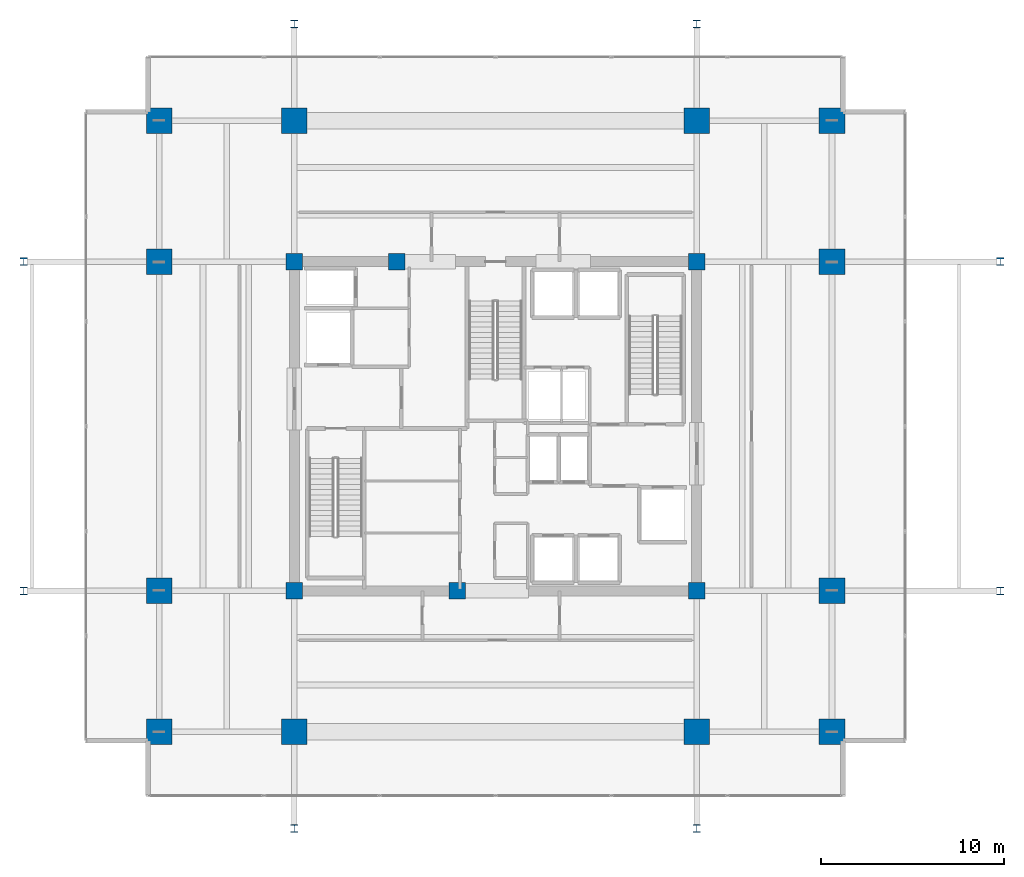
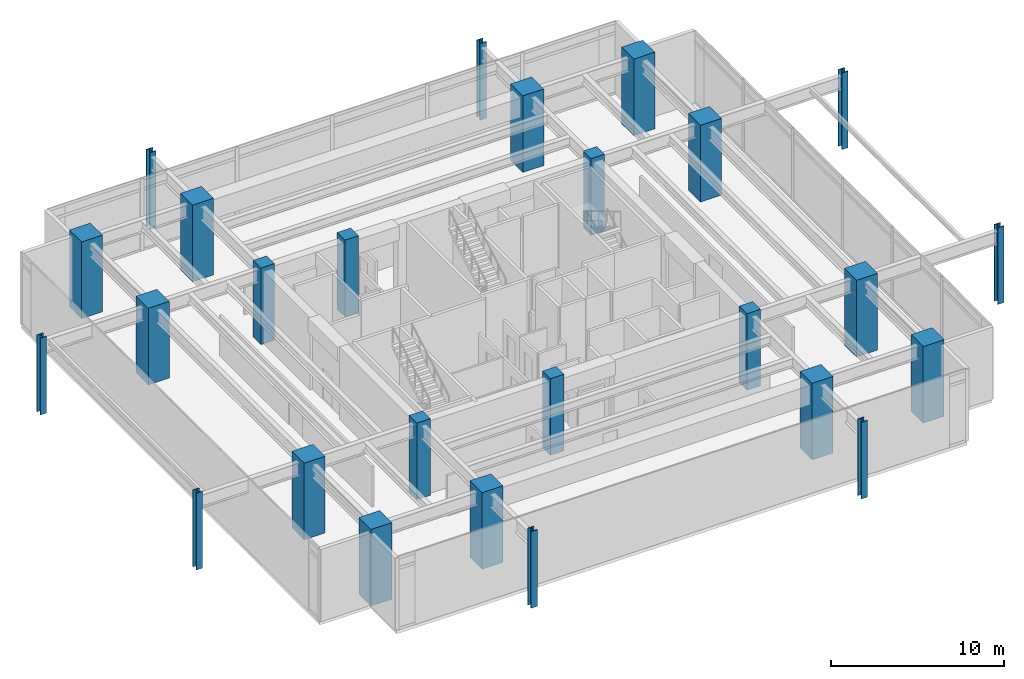
# One storey, part 1 of 24: 26 columns.
"""IFC4 building model written with IfcOpenShell, lengths in metres."""

from ifc_helpers import new_model, si_unit, direction, frame, origin, origin_2d, place, context, subcontext, project, spatial, rectangle, i_section, extrude, material, material_profile, profile_set, type_object, element, save


model = new_model("IFC4")

# Units and contexts
model_context = context("Model", 3, precision=1e-05, world=origin(), true_north=direction((0.0, 1.0)))
body_context = subcontext(model_context, "Body", "Model", "MODEL_VIEW")
ifc_project = project(units=[si_unit("LENGTHUNIT", "METRE"), si_unit("AREAUNIT", "SQUARE_METRE"), si_unit("VOLUMEUNIT", "CUBIC_METRE"), si_unit("PLANEANGLEUNIT", "RADIAN"), si_unit("MASSUNIT", "GRAM", prefix="KILO")], contexts=[model_context])

# Site, building, storey
site_placement = place(None, origin())
site = spatial("IfcSite", under=ifc_project, at=site_placement, CompositionType="ELEMENT")
building_placement = place(site_placement, origin())
building = spatial("IfcBuilding", under=site, at=building_placement, Name="Kovane Verandah Tower", CompositionType="ELEMENT")
storey_placement = place(building_placement, frame((0.0, 0.0, 194.800048828125)))
storey = spatial("IfcBuildingStorey", under=building, at=storey_placement, Name="L45", CompositionType="ELEMENT", Elevation=194.800048828125)

# Columns
ifc_material_1 = material(Name="Concrete C60/75", Category="concrete")
ifc_material_profile_1 = material_profile(ifc_material_1, rectangle(XDim=1.39990234375, YDim=1.39990234375, at=origin_2d()), Name="RC1400x1400")
ifc_profile_set_1 = profile_set([ifc_material_profile_1], Name="Concrete C60/75")
column_type_1 = type_object("IfcColumnType", Name="COL-RC1400", PredefinedType="COLUMN", material=ifc_profile_set_1)
for number, where, z_axis, x_axis, name in (
    (1, (29.0, 10.800048828125, 0.0), (0.0, 0.0, 1.0), (1.0, 0.0, 0.0), "L45 Tower Mega-Column MC-S1"),
    (2, (51.0, 10.800048828125, 0.0), (0.0, 0.0, 1.0), (1.0, 0.0, 0.0), "L45 Tower Mega-Column MC-S2"),
    (3, (29.0, 44.199951171875, 0.0), (0.0, 0.0, 1.0), (1.0, 0.0, 0.0), "L45 Tower Mega-Column MC-N1"),
    (4, (51.0, 44.199951171875, 0.0), (0.0, 0.0, 1.0), (1.0, 0.0, 0.0), "L45 Tower Mega-Column MC-N2"),
    (5, (21.60009765625, 18.5, 0.0), (0.0, 0.0, 1.0), (1.0, 0.0, 0.0), "L45 Tower Mega-Column MC-W1"),
    (6, (21.60009765625, 36.5, 0.0), (0.0, 0.0, 1.0), (1.0, 0.0, 0.0), "L45 Tower Mega-Column MC-W2"),
    (7, (58.39990234375, 18.5, 0.0), (0.0, 0.0, 1.0), (1.0, 0.0, 0.0), "L45 Tower Mega-Column MC-E1"),
    (8, (58.39990234375, 36.5, 0.0), (0.0, 0.0, 1.0), (1.0, 0.0, 0.0), "L45 Tower Mega-Column MC-E2"),
    (9, (21.60009765625, 10.800048828125, 0.0), (0.0, 0.0, 1.0), (1.0, 0.0, 0.0), "L45 Tower Mega-Column MC-SW"),
    (10, (58.39990234375, 10.800048828125, 0.0), (0.0, 0.0, 1.0), (1.0, 0.0, 0.0), "L45 Tower Mega-Column MC-SE"),
    (11, (21.60009765625, 44.199951171875, 0.0), (0.0, 0.0, 1.0), (1.0, 0.0, 0.0), "L45 Tower Mega-Column MC-NW"),
    (12, (58.39990234375, 44.199951171875, 0.0), (0.0, 0.0, 1.0), (1.0, 0.0, 0.0), "L45 Tower Mega-Column MC-NE"),
):
    element("IfcColumn", number, at=place(storey_placement, frame(where, z_axis=z_axis, x_axis=x_axis)), inside=storey, type_object=column_type_1, Name=name, PredefinedType="COLUMN", context=body_context, shape_type="SweptSolid", body=[
        extrude(rectangle(XDim=1.39990234375, YDim=1.39990234375, at=origin_2d()), origin(), (0.0, 0.0, 1.0), 5.39990234375),
    ])
ifc_material_2 = material(Name="Steel S460", Category="steel")
ifc_material_profile_2 = material_profile(ifc_material_2, i_section(OverallWidth=0.412109375, OverallDepth=0.4365234375, WebThickness=0.035888671875, FlangeThickness=0.05810546875, FilletRadius=0.01513671875, at=origin_2d()), Name="UC356x406x467")
ifc_profile_set_2 = profile_set([ifc_material_profile_2], Name="Steel S460")
column_type_2 = type_object("IfcColumnType", Name="COL-UC467", PredefinedType="COLUMN", material=ifc_profile_set_2)
for number, where, z_axis, x_axis, name in (
    (13, (14.199951171875, 18.5, 0.0), (0.0, 0.0, 1.0), (1.0, 0.0, 0.0), "L45 Verandah Perimeter Column VC-W1"),
    (14, (14.199951171875, 36.5, 0.0), (0.0, 0.0, 1.0), (1.0, 0.0, 0.0), "L45 Verandah Perimeter Column VC-W2"),
    (15, (67.60009765625, 18.5, 0.0), (0.0, 0.0, 1.0), (1.0, 0.0, 0.0), "L45 Verandah Perimeter Column VC-E1"),
    (16, (67.60009765625, 36.5, 0.0), (0.0, 0.0, 1.0), (1.0, 0.0, 0.0), "L45 Verandah Perimeter Column VC-E2"),
    (17, (29.0, 5.5, 0.0), (0.0, 0.0, 1.0), (1.0, 0.0, 0.0), "L45 Verandah Perimeter Column VC-S1"),
    (18, (51.0, 5.5, 0.0), (0.0, 0.0, 1.0), (1.0, 0.0, 0.0), "L45 Verandah Perimeter Column VC-S2"),
    (19, (29.0, 49.5, 0.0), (0.0, 0.0, 1.0), (1.0, 0.0, 0.0), "L45 Verandah Perimeter Column VC-N1"),
    (20, (51.0, 49.5, 0.0), (0.0, 0.0, 1.0), (1.0, 0.0, 0.0), "L45 Verandah Perimeter Column VC-N2"),
):
    element("IfcColumn", number, at=place(storey_placement, frame(where, z_axis=z_axis, x_axis=x_axis)), inside=storey, type_object=column_type_2, Name=name, PredefinedType="COLUMN", context=body_context, shape_type="SweptSolid", body=[
        extrude(i_section(OverallWidth=0.412109375, OverallDepth=0.4365234375, WebThickness=0.035888671875, FlangeThickness=0.05810546875, FilletRadius=0.01513671875, at=origin_2d()), origin(), (0.0, 0.0, 1.0), 5.39990234375),
    ])
ifc_material_profile_3 = material_profile(ifc_material_1, rectangle(XDim=0.89990234375, YDim=0.89990234375, at=origin_2d()), Name="RC900x900")
ifc_profile_set_3 = profile_set([ifc_material_profile_3], Name="Concrete C60/75")
column_type_3 = type_object("IfcColumnType", Name="PIL-RC900", PredefinedType="PILASTER", material=ifc_profile_set_3)
for number, where, z_axis, x_axis, name in (
    (21, (29.0, 18.5, 0.0), (0.0, 0.0, 1.0), (1.0, 0.0, 0.0), "L45 Core Pilaster CP-SW"),
    (22, (51.0, 18.5, 0.0), (0.0, 0.0, 1.0), (1.0, 0.0, 0.0), "L45 Core Pilaster CP-SE"),
    (23, (29.0, 36.5, 0.0), (0.0, 0.0, 1.0), (1.0, 0.0, 0.0), "L45 Core Pilaster CP-NW"),
    (24, (51.0, 36.5, 0.0), (0.0, 0.0, 1.0), (1.0, 0.0, 0.0), "L45 Core Pilaster CP-NE"),
    (25, (37.89990234375, 18.5, 0.0), (0.0, 0.0, 1.0), (1.0, 0.0, 0.0), "L45 Core Pilaster CP-S"),
    (26, (34.60009765625, 36.5, 0.0), (0.0, 0.0, 1.0), (1.0, 0.0, 0.0), "L45 Core Pilaster CP-N"),
):
    element("IfcColumn", number, at=place(storey_placement, frame(where, z_axis=z_axis, x_axis=x_axis)), inside=storey, type_object=column_type_3, Name=name, PredefinedType="PILASTER", context=body_context, shape_type="SweptSolid", body=[
        extrude(rectangle(XDim=0.89990234375, YDim=0.89990234375, at=origin_2d()), origin(), (0.0, 0.0, 1.0), 5.39990234375),
    ])

save(model, "model.ifc")
